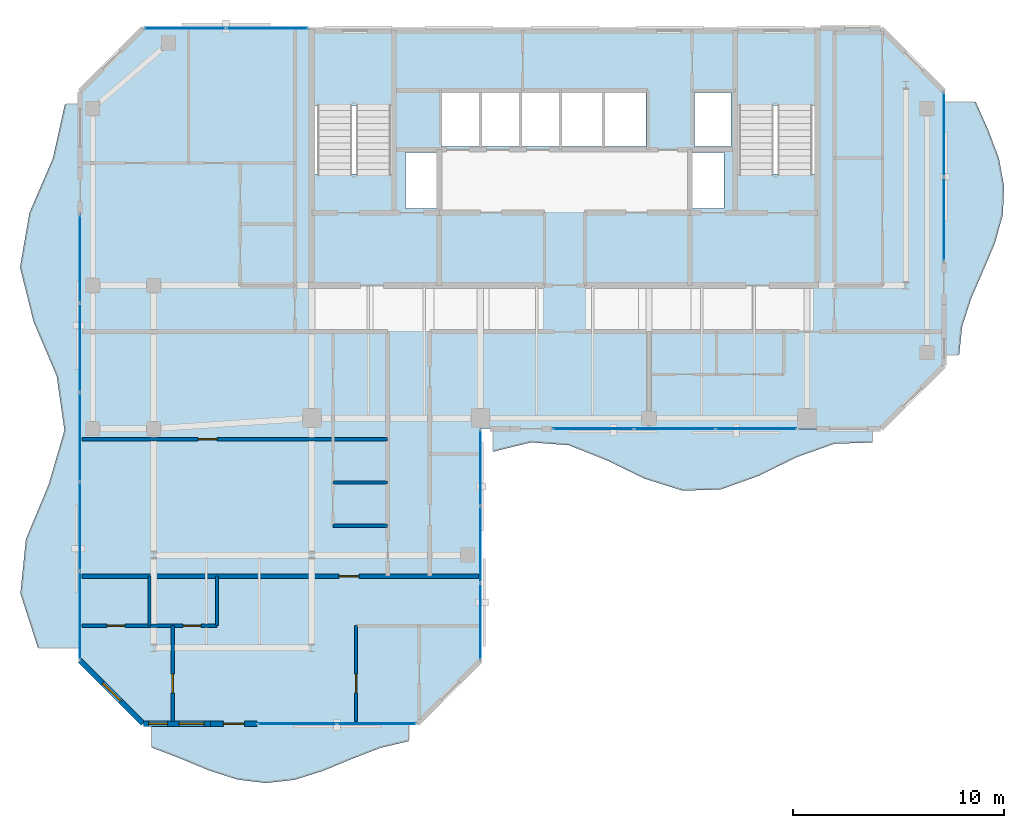
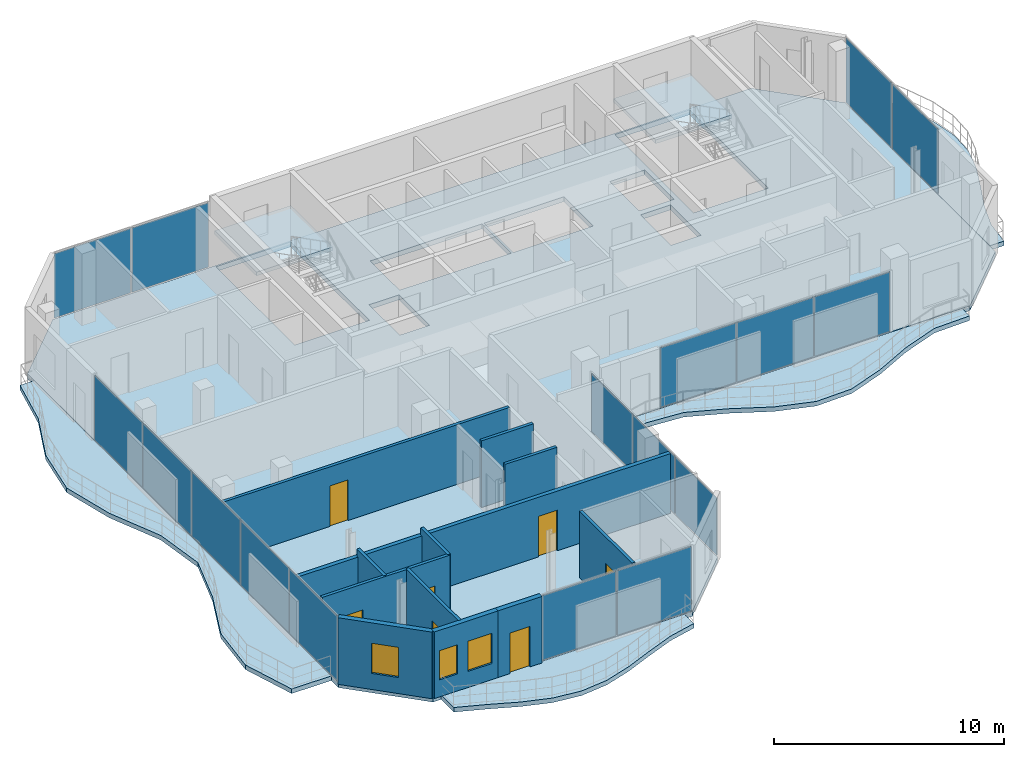
# One storey, part 17 of 22: 17 plates, 12 walls, 7 doors, 7 slabs, 3 windows, 10 openings, 8 elements without a shape of their own.
"""IFC4 building model written with IfcOpenShell, lengths in metres."""

from ifc_helpers import new_model, si_unit, direction, frame, frame_2d, origin, origin_2d, place, context, subcontext, project, spatial, polyline, rectangle, outline, extrude, material, layer, layer_set, type_object, element, fill, aggregate, save


model = new_model("IFC4")

# Units and contexts
model_context = context("Model", 3, precision=1e-05, world=origin(), true_north=direction((0.0, 1.0)))
body_context = subcontext(model_context, "Body", "Model", "MODEL_VIEW")
ifc_project = project(units=[si_unit("LENGTHUNIT", "METRE"), si_unit("AREAUNIT", "SQUARE_METRE"), si_unit("VOLUMEUNIT", "CUBIC_METRE"), si_unit("PLANEANGLEUNIT", "RADIAN"), si_unit("MASSUNIT", "GRAM", prefix="KILO")], contexts=[model_context])

# Site, building, storey
site_placement = place(None, origin())
site = spatial("IfcSite", under=ifc_project, at=site_placement, CompositionType="ELEMENT")
building_placement = place(site_placement, origin())
building = spatial("IfcBuilding", under=site, at=building_placement, Name="Catumbela Crestline Tower", CompositionType="ELEMENT")
storey_placement = place(building_placement, frame((0.0, 0.0, 260.2)))
storey = spatial("IfcBuildingStorey", under=building, at=storey_placement, Name="L67", CompositionType="ELEMENT", Elevation=260.2)

# Curtain wall, plates
ifc_material_1 = material(Name="Aluminium alloy AW-6060-T66", Category="aluminium")
ifc_layer_1 = layer(ifc_material_1, 0.18, Name="Aluminium alloy AW-6060-T66")
ifc_layer_set_1 = layer_set([ifc_layer_1], Name="Aluminium alloy AW-6060-T66")
curtain_wall_type = type_object("IfcCurtainWallType", Name="CWU-Z4", PredefinedType="USERDEFINED", material=ifc_layer_set_1)
curtain_wall_1_placement = place(storey_placement, origin())
curtain_wall_1 = element("IfcCurtainWall", 1, at=curtain_wall_1_placement, inside=storey, type_object=curtain_wall_type, Name="L67 Unitised Curtain Wall CW-L67-E0S2", ObjectType="UNITISED", PredefinedType="USERDEFINED")
ifc_material_2 = material(Name="Low-E laminated solar-control double glazing", Category="glass")
ifc_layer_2 = layer(ifc_material_2, 0.036, Name="Low-E laminated solar-control double glazing")
ifc_layer_set_2 = layer_set([ifc_layer_2], Name="Low-E laminated solar-control double glazing")
plate_type = type_object("IfcPlateType", Name="PNL-GLZ-Z4", PredefinedType="CURTAIN_PANEL", material=ifc_layer_set_2)
plate_1_placement = place(storey_placement, frame((15.3162, 10.0, 0.06), z_axis=(0.0, 0.0, 1.0), x_axis=(1.0, 0.0, 0.0)))
plate_1 = element("IfcPlate", 2, at=plate_1_placement, type_object=plate_type, Name="CWU-Z4 panel 1.1", PredefinedType="CURTAIN_PANEL", context=body_context, shape_type="SweptSolid", body=[
    extrude(rectangle(XDim=3.7025, YDim=0.034, at=origin_2d()), origin(), (0.0, 0.0, 1.0), 3.41),
])
plate_2_placement = place(storey_placement, frame((19.0837, 10.0, 0.06), z_axis=(0.0, 0.0, 1.0), x_axis=(1.0, 0.0, 0.0)))
plate_2 = element("IfcPlate", 3, at=plate_2_placement, type_object=plate_type, Name="CWU-Z4 panel 2.1", PredefinedType="CURTAIN_PANEL", context=body_context, shape_type="SweptSolid", body=[
    extrude(rectangle(XDim=3.7025, YDim=0.034, at=origin_2d()), origin(), (0.0, 0.0, 1.0), 3.41),
])
aggregate(curtain_wall_1, [plate_1, plate_2])

curtain_wall_2_placement = place(storey_placement, origin())
curtain_wall_2 = element("IfcCurtainWall", 4, at=curtain_wall_2_placement, inside=storey, type_object=curtain_wall_type, Name="L67 Unitised Curtain Wall CW-L67-E2S1", ObjectType="UNITISED", PredefinedType="USERDEFINED")
plate_3_placement = place(storey_placement, frame((24.0, 14.8496, 0.06), z_axis=(0.0, 0.0, 1.0), x_axis=(0.0, 1.0, 0.0)))
plate_3 = element("IfcPlate", 5, at=plate_3_placement, type_object=plate_type, Name="CWU-Z4 panel 1.1", PredefinedType="CURTAIN_PANEL", context=body_context, shape_type="SweptSolid", body=[
    extrude(rectangle(XDim=3.5692, YDim=0.034, at=origin_2d()), origin(), (0.0, 0.0, 1.0), 3.04),
])
plate_4_placement = place(storey_placement, frame((24.0, 18.5, 0.06), z_axis=(0.0, 0.0, 1.0), x_axis=(0.0, 1.0, 0.0)))
plate_4 = element("IfcPlate", 6, at=plate_4_placement, type_object=plate_type, Name="CWU-Z4 panel 2.1", PredefinedType="CURTAIN_PANEL", context=body_context, shape_type="SweptSolid", body=[
    extrude(rectangle(XDim=3.6017, YDim=0.034, at=origin_2d()), origin(), (0.0, 0.0, 1.0), 3.04),
])
plate_5_placement = place(storey_placement, frame((24.0, 22.1504, 0.06), z_axis=(0.0, 0.0, 1.0), x_axis=(0.0, 1.0, 0.0)))
plate_5 = element("IfcPlate", 7, at=plate_5_placement, type_object=plate_type, Name="CWU-Z4 panel 3.1", PredefinedType="CURTAIN_PANEL", context=body_context, shape_type="SweptSolid", body=[
    extrude(rectangle(XDim=3.5692, YDim=0.034, at=origin_2d()), origin(), (0.0, 0.0, 1.0), 3.04),
])
aggregate(curtain_wall_2, [plate_3, plate_4, plate_5])

curtain_wall_3_placement = place(storey_placement, origin())
curtain_wall_3 = element("IfcCurtainWall", 8, at=curtain_wall_3_placement, inside=storey, type_object=curtain_wall_type, Name="L67 Unitised Curtain Wall CW-L67-E3S2", ObjectType="UNITISED", PredefinedType="USERDEFINED")
plate_6_placement = place(storey_placement, frame((29.3579, 24.0, 0.06), z_axis=(0.0, 0.0, 1.0), x_axis=(1.0, 0.0, 0.0)))
plate_6 = element("IfcPlate", 9, at=plate_6_placement, type_object=plate_type, Name="CWU-Z4 panel 1.1", PredefinedType="CURTAIN_PANEL", context=body_context, shape_type="SweptSolid", body=[
    extrude(rectangle(XDim=3.7858, YDim=0.034, at=origin_2d()), origin(), (0.0, 0.0, 1.0), 3.15),
])
plate_7_placement = place(storey_placement, frame((33.225, 24.0, 0.06), z_axis=(0.0, 0.0, 1.0), x_axis=(1.0, 0.0, 0.0)))
plate_7 = element("IfcPlate", 10, at=plate_7_placement, type_object=plate_type, Name="CWU-Z4 panel 2.1", PredefinedType="CURTAIN_PANEL", context=body_context, shape_type="SweptSolid", body=[
    extrude(rectangle(XDim=3.8183, YDim=0.034, at=origin_2d()), origin(), (0.0, 0.0, 1.0), 3.15),
])
plate_8_placement = place(storey_placement, frame((37.0921, 24.0, 0.06), z_axis=(0.0, 0.0, 1.0), x_axis=(1.0, 0.0, 0.0)))
plate_8 = element("IfcPlate", 11, at=plate_8_placement, type_object=plate_type, Name="CWU-Z4 panel 3.1", PredefinedType="CURTAIN_PANEL", context=body_context, shape_type="SweptSolid", body=[
    extrude(rectangle(XDim=3.7858, YDim=0.034, at=origin_2d()), origin(), (0.0, 0.0, 1.0), 3.15),
])
aggregate(curtain_wall_3, [plate_6, plate_7, plate_8])

curtain_wall_4_placement = place(storey_placement, origin())
curtain_wall_4 = element("IfcCurtainWall", 12, at=curtain_wall_4_placement, inside=storey, type_object=curtain_wall_type, Name="L67 Unitised Curtain Wall CW-L67-E5S2", ObjectType="UNITISED", PredefinedType="USERDEFINED")
plate_9_placement = place(storey_placement, frame((46.0, 33.9412, 0.06), z_axis=(0.0, 0.0, 1.0), x_axis=(0.0, 1.0, 0.0)))
plate_9 = element("IfcPlate", 13, at=plate_9_placement, type_object=plate_type, Name="CWU-Z4 panel 1.1", PredefinedType="CURTAIN_PANEL", context=body_context, shape_type="SweptSolid", body=[
    extrude(rectangle(XDim=3.9525, YDim=0.034, at=origin_2d()), origin(), (0.0, 0.0, 1.0), 3.41),
])
plate_10_placement = place(storey_placement, frame((46.0, 37.9588, 0.06), z_axis=(0.0, 0.0, 1.0), x_axis=(0.0, 1.0, 0.0)))
plate_10 = element("IfcPlate", 14, at=plate_10_placement, type_object=plate_type, Name="CWU-Z4 panel 2.1", PredefinedType="CURTAIN_PANEL", context=body_context, shape_type="SweptSolid", body=[
    extrude(rectangle(XDim=3.9525, YDim=0.034, at=origin_2d()), origin(), (0.0, 0.0, 1.0), 3.41),
])
aggregate(curtain_wall_4, [plate_9, plate_10])

curtain_wall_5_placement = place(storey_placement, origin())
curtain_wall_5 = element("IfcCurtainWall", 15, at=curtain_wall_5_placement, inside=storey, type_object=curtain_wall_type, Name="L67 Unitised Curtain Wall CW-L67-E7S2", ObjectType="UNITISED", PredefinedType="USERDEFINED")
plate_11_placement = place(storey_placement, frame((13.8788, 43.0, 0.06), z_axis=(0.0, 0.0, 1.0), x_axis=(-1.0, 0.0, 0.0)))
plate_11 = element("IfcPlate", 16, at=plate_11_placement, type_object=plate_type, Name="CWU-Z4 panel 1.1", PredefinedType="CURTAIN_PANEL", context=body_context, shape_type="SweptSolid", body=[
    extrude(rectangle(XDim=3.8325, YDim=0.034, at=origin_2d()), origin(), (0.0, 0.0, 1.0), 3.41),
])
plate_12_placement = place(storey_placement, frame((9.9812, 43.0, 0.06), z_axis=(0.0, 0.0, 1.0), x_axis=(-1.0, 0.0, 0.0)))
plate_12 = element("IfcPlate", 17, at=plate_12_placement, type_object=plate_type, Name="CWU-Z4 panel 2.1", PredefinedType="CURTAIN_PANEL", context=body_context, shape_type="SweptSolid", body=[
    extrude(rectangle(XDim=3.8325, YDim=0.034, at=origin_2d()), origin(), (0.0, 0.0, 1.0), 3.41),
])
aggregate(curtain_wall_5, [plate_11, plate_12])

curtain_wall_6_placement = place(storey_placement, origin())
curtain_wall_6 = element("IfcCurtainWall", 18, at=curtain_wall_6_placement, inside=storey, type_object=curtain_wall_type, Name="L67 Unitised Curtain Wall CW-L67-E9S2", ObjectType="UNITISED", PredefinedType="USERDEFINED")
plate_13_placement = place(storey_placement, frame((5.0, 32.0638, 0.06), z_axis=(0.0, 0.0, 1.0), x_axis=(0.0, -1.0, 0.0)))
plate_13 = element("IfcPlate", 19, at=plate_13_placement, type_object=plate_type, Name="CWU-Z4 panel 1.1", PredefinedType="CURTAIN_PANEL", context=body_context, shape_type="SweptSolid", body=[
    extrude(rectangle(XDim=4.1425, YDim=0.034, at=origin_2d()), origin(), (0.0, 0.0, 1.0), 3.41),
])
plate_14_placement = place(storey_placement, frame((5.0, 27.84, 0.06), z_axis=(0.0, 0.0, 1.0), x_axis=(0.0, -1.0, 0.0)))
plate_14 = element("IfcPlate", 20, at=plate_14_placement, type_object=plate_type, Name="CWU-Z4 panel 2.1", PredefinedType="CURTAIN_PANEL", context=body_context, shape_type="SweptSolid", body=[
    extrude(rectangle(XDim=4.175, YDim=0.034, at=origin_2d()), origin(), (0.0, 0.0, 1.0), 3.41),
])
plate_15_placement = place(storey_placement, frame((5.0, 23.6, 0.06), z_axis=(0.0, 0.0, 1.0), x_axis=(0.0, -1.0, 0.0)))
plate_15 = element("IfcPlate", 21, at=plate_15_placement, type_object=plate_type, Name="CWU-Z4 panel 3.1", PredefinedType="CURTAIN_PANEL", context=body_context, shape_type="SweptSolid", body=[
    extrude(rectangle(XDim=4.175, YDim=0.034, at=origin_2d()), origin(), (0.0, 0.0, 1.0), 3.41),
])
plate_16_placement = place(storey_placement, frame((5.0, 19.36, 0.06), z_axis=(0.0, 0.0, 1.0), x_axis=(0.0, -1.0, 0.0)))
plate_16 = element("IfcPlate", 22, at=plate_16_placement, type_object=plate_type, Name="CWU-Z4 panel 4.1", PredefinedType="CURTAIN_PANEL", context=body_context, shape_type="SweptSolid", body=[
    extrude(rectangle(XDim=4.175, YDim=0.034, at=origin_2d()), origin(), (0.0, 0.0, 1.0), 3.41),
])
plate_17_placement = place(storey_placement, frame((5.0, 15.1362, 0.06), z_axis=(0.0, 0.0, 1.0), x_axis=(0.0, -1.0, 0.0)))
plate_17 = element("IfcPlate", 23, at=plate_17_placement, type_object=plate_type, Name="CWU-Z4 panel 5.1", PredefinedType="CURTAIN_PANEL", context=body_context, shape_type="SweptSolid", body=[
    extrude(rectangle(XDim=4.1425, YDim=0.034, at=origin_2d()), origin(), (0.0, 0.0, 1.0), 3.41),
])
aggregate(curtain_wall_6, [plate_13, plate_14, plate_15, plate_16, plate_17])

# Stair, slab
ifc_material_3 = material(Name="Concrete C45/55", Category="concrete")
stair_type = type_object("IfcStairType", Name="ST-DLG", PredefinedType="HALF_TURN_STAIR", material=ifc_material_3)
stair_1_placement = place(storey_placement, origin())
stair_1 = element("IfcStair", 24, at=stair_1_placement, inside=storey, type_object=stair_type, Name="L67 West Core Pressurised Exit Stair ST-01", PredefinedType="HALF_TURN_STAIR")
ifc_layer_3 = layer(ifc_material_3, 0.2, Name="Concrete C45/55")
ifc_layer_set_3 = layer_set([ifc_layer_3], Name="Concrete C45/55")
slab_type_1 = type_object("IfcSlabType", Name="SL-LND", PredefinedType="LANDING", material=ifc_layer_set_3)
slab_1_placement = place(storey_placement, frame((0.0, 0.0, 1.7)))
slab_1 = element("IfcSlab", 25, at=slab_1_placement, type_object=slab_type_1, Name="ST-01 landing 1", PredefinedType="LANDING", context=body_context, shape_type="SweptSolid", body=[
    extrude(outline(polyline([(19.91, 39.33), (19.91, 42.96), (16.09, 42.96), (16.09, 39.33), (19.91, 39.33)])), origin(), (0.0, 0.0, 1.0), 0.2),
])
aggregate(stair_1, [slab_1])

stair_2_placement = place(storey_placement, origin())
stair_2 = element("IfcStair", 26, at=stair_2_placement, inside=storey, type_object=stair_type, Name="L67 East Core Pressurised Exit Stair ST-02", PredefinedType="HALF_TURN_STAIR")
slab_2_placement = place(storey_placement, frame((0.0, 0.0, 1.7)))
slab_2 = element("IfcSlab", 27, at=slab_2_placement, type_object=slab_type_1, Name="ST-02 landing 1", PredefinedType="LANDING", context=body_context, shape_type="SweptSolid", body=[
    extrude(outline(polyline([(39.91, 39.33), (39.91, 42.96), (36.09, 42.96), (36.09, 39.33), (39.91, 39.33)])), origin(), (0.0, 0.0, 1.0), 0.2),
])
aggregate(stair_2, [slab_2])

# Slabs
ifc_layer_4 = layer(ifc_material_3, 0.26, Name="Concrete C45/55")
ifc_layer_set_4 = layer_set([ifc_layer_4], Name="Concrete C45/55")
slab_type_2 = type_object("IfcSlabType", Name="SL-260", PredefinedType="FLOOR", material=ifc_layer_set_4)
slab_3_placement = place(storey_placement, frame((0.0, 0.0, -0.26)))
element("IfcSlab", 28, at=slab_3_placement, inside=storey, type_object=slab_type_2, Name="L67 Structural Floor Slab", PredefinedType="FLOOR", context=body_context, shape_type="SweptSolid", body=[
    extrude(outline(polyline([(8.0, 10.0), (21.0, 10.0), (24.0, 13.0), (24.0, 24.0), (43.0, 24.0), (46.0, 27.0), (46.0, 40.0), (43.0, 43.0), (8.0, 43.0), (5.0, 40.0), (5.0, 13.0), (8.0, 10.0)]), holes=[polyline([(16.13, 36.08), (19.87, 36.08), (19.87, 42.92), (16.13, 42.92), (16.13, 36.08)]), polyline([(36.13, 36.08), (39.87, 36.08), (39.87, 42.92), (36.13, 42.92), (36.13, 36.08)]), polyline([(22.15, 37.4), (27.75, 37.4), (27.75, 39.95), (22.15, 39.95), (22.15, 37.4)]), polyline([(27.85, 37.4), (31.85, 37.4), (31.85, 39.95), (27.85, 39.95), (27.85, 37.4)]), polyline([(20.45, 34.45), (21.95, 34.45), (21.95, 37.1), (20.45, 37.1), (20.45, 34.45)]), polyline([(34.05, 34.45), (35.55, 34.45), (35.55, 37.1), (34.05, 37.1), (34.05, 34.45)]), polyline([(34.15, 37.4), (35.9, 37.4), (35.9, 39.95), (34.15, 39.95), (34.15, 37.4)])]), origin(), (0.0, 0.0, 1.0), 0.26),
])
ifc_layer_5 = layer(ifc_material_3, 0.24, Name="Concrete C45/55")
ifc_layer_set_5 = layer_set([ifc_layer_5], Name="Concrete C45/55")
slab_type_3 = type_object("IfcSlabType", Name="SB-240W", PredefinedType="USERDEFINED", material=ifc_layer_set_5)
slab_4_placement = place(storey_placement, frame((0.0, 0.0, -0.24)))
element("IfcSlab", 29, at=slab_4_placement, inside=storey, type_object=slab_type_3, Name="L67 Cantilevered Wave Balcony Slab SPINE-S", ObjectType="BALCONY", PredefinedType="USERDEFINED", context=body_context, shape_type="SweptSolid", body=[
    extrude(outline(polyline([(24.6, 22.9053), (26.4, 23.35), (28.2, 23.2132), (30.0, 22.4984), (31.8, 21.6219), (33.6, 21.0587), (35.4, 21.1142), (37.2, 21.7583), (39.0, 22.6417), (40.8, 23.2858), (42.6, 23.3413), (42.6, 23.99), (24.6, 23.99), (24.6, 22.9053)])), origin(), (0.0, 0.0, 1.0), 0.24),
])
slab_5_placement = place(storey_placement, frame((0.0, 0.0, -0.24)))
element("IfcSlab", 30, at=slab_5_placement, inside=storey, type_object=slab_type_3, Name="L67 Cantilevered Wave Balcony Slab SPINE-E", ObjectType="BALCONY", PredefinedType="USERDEFINED", context=body_context, shape_type="SweptSolid", body=[
    extrude(outline(polyline([(46.01, 27.5), (46.721, 27.5), (46.8606, 28.8333), (47.2858, 30.1667), (47.8672, 31.5), (48.4282, 32.8333), (48.7983, 34.1667), (48.85, 35.5), (48.608, 36.8333), (48.1055, 38.1667), (47.5102, 39.5), (46.01, 39.5), (46.01, 27.5)])), origin(), (0.0, 0.0, 1.0), 0.24),
])
slab_6_placement = place(storey_placement, frame((0.0, 0.0, -0.24)))
element("IfcSlab", 31, at=slab_6_placement, inside=storey, type_object=slab_type_3, Name="L67 Cantilevered Wave Balcony Slab WING-S", ObjectType="BALCONY", PredefinedType="USERDEFINED", context=body_context, shape_type="SweptSolid", body=[
    extrude(outline(polyline([(8.4, 8.8674), (9.7556, 8.3478), (11.1111, 7.7819), (12.4667, 7.3472), (13.8222, 7.1801), (15.1778, 7.3331), (16.5333, 7.7582), (17.8889, 8.3219), (19.2444, 8.8474), (20.6, 9.1697), (20.6, 9.99), (8.4, 9.99), (8.4, 8.8674)])), origin(), (0.0, 0.0, 1.0), 0.24),
])
slab_7_placement = place(storey_placement, frame((0.0, 0.0, -0.24)))
element("IfcSlab", 32, at=slab_7_placement, inside=storey, type_object=slab_type_3, Name="L67 Cantilevered Wave Balcony Slab WEST", ObjectType="BALCONY", PredefinedType="USERDEFINED", context=body_context, shape_type="SweptSolid", body=[
    extrude(outline(polyline([(4.99, 39.4), (4.28, 39.4), (3.7067, 36.82), (2.597, 34.24), (2.15, 31.66), (2.7916, 29.08), (3.8899, 26.5), (4.2579, 23.92), (3.506, 21.34), (2.4302, 18.76), (2.1693, 16.18), (2.9995, 13.6), (4.99, 13.6), (4.99, 39.4)])), origin(), (0.0, 0.0, 1.0), 0.24),
])

# Wall, opening, door
ifc_material_4 = material(Name="Angolan grey-ochre granite", Category="masonry")
ifc_layer_6 = layer(ifc_material_4, 0.25, Name="Angolan grey-ochre granite")
ifc_layer_set_6 = layer_set([ifc_layer_6], Name="Angolan grey-ochre granite")
wall_type_1 = type_object("IfcWallType", Name="WE-250", PredefinedType="STANDARD", material=ifc_layer_set_6)
wall_1_placement = place(storey_placement, frame((11.2, 10.0, 0.0), z_axis=(0.0, 0.0, 1.0), x_axis=(1.0, 0.0, 0.0)))
wall_1 = element("IfcWall", 33, at=wall_1_placement, inside=storey, type_object=wall_type_1, Name="L67 Exterior Threshold Portal Wall DR-L67-WBAL-3", PredefinedType="STANDARD", context=body_context, shape_type="SweptSolid", body=[
    extrude(rectangle(XDim=2.2, YDim=0.25, at=frame_2d((1.1, 0.0))), origin(), (0.0, 0.0, 1.0), 3.53),
])
opening_1_placement = place(wall_1_placement, frame((0.6, 0.0, 0.0)))
opening_1 = element("IfcOpeningElement", 34, at=opening_1_placement, cuts=wall_1, Name="Opening DB-L67-3", PredefinedType="OPENING", context=body_context, shape_type="SweptSolid", body=[
    extrude(rectangle(XDim=1.0, YDim=2.15, at=frame_2d((0.5, 1.075))), frame((0.0, 0.135, 0.0), z_axis=(0.0, -1.0, 0.0), x_axis=(1.0, 0.0, 0.0)), (0.0, 0.0, 1.0), 0.27),
])
door_type_1 = type_object("IfcDoorType", Name="DB-1000", OperationType="NOTDEFINED", PredefinedType="DOOR", material=ifc_material_1)
door_1_placement = place(opening_1_placement, origin())
door_1 = element("IfcDoor", 35, at=door_1_placement, inside=storey, type_object=door_type_1, Name="L67 Wave Balcony Terrace Door 3", OperationType="SINGLE_SWING_LEFT", OverallHeight=2.15, OverallWidth=1.0, PredefinedType="DOOR", context=body_context, shape_type="SweptSolid", body=[
    extrude(rectangle(XDim=1.0, YDim=2.15, at=frame_2d((0.5, 1.075))), frame((0.0, 0.025, 0.0), z_axis=(0.0, -1.0, 0.0), x_axis=(1.0, 0.0, 0.0)), (0.0, 0.0, 1.0), 0.05),
])
fill(opening_1, door_1)

# Wall, openings, windows
wall_2_placement = place(storey_placement, frame((8.0, 10.0, 0.0), z_axis=(0.0, 0.0, 1.0), x_axis=(1.0, 0.0, 0.0)))
wall_2 = element("IfcWall", 36, at=wall_2_placement, inside=storey, type_object=wall_type_1, Name="L67 Granite Punched Window Wall 0-1", PredefinedType="STANDARD", context=body_context, shape_type="SweptSolid", body=[
    extrude(rectangle(XDim=3.2, YDim=0.25, at=frame_2d((1.6, 0.0))), origin(), (0.0, 0.0, 1.0), 3.53),
])
opening_2_placement = place(wall_2_placement, frame((0.26, 0.0, 0.9)))
opening_2 = element("IfcOpeningElement", 37, at=opening_2_placement, cuts=wall_2, Name="Opening WN-03", PredefinedType="OPENING", context=body_context, shape_type="SweptSolid", body=[
    extrude(rectangle(XDim=0.9, YDim=1.55, at=frame_2d((0.45, 0.775))), frame((0.0, 0.135, 0.0), z_axis=(0.0, -1.0, 0.0), x_axis=(1.0, 0.0, 0.0)), (0.0, 0.0, 1.0), 0.27),
])
opening_3_placement = place(wall_2_placement, frame((1.69, 0.0, 0.85)))
opening_3 = element("IfcOpeningElement", 38, at=opening_3_placement, cuts=wall_2, Name="Opening WN-02", PredefinedType="OPENING", context=body_context, shape_type="SweptSolid", body=[
    extrude(rectangle(XDim=1.2, YDim=1.6, at=frame_2d((0.6, 0.8))), frame((0.0, 0.135, 0.0), z_axis=(0.0, -1.0, 0.0), x_axis=(1.0, 0.0, 0.0)), (0.0, 0.0, 1.0), 0.27),
])
window_type_1 = type_object("IfcWindowType", Name="WO-0900", PartitioningType="SINGLE_PANEL", PredefinedType="WINDOW", material=ifc_material_2)
window_1_placement = place(opening_2_placement, origin())
window_1 = element("IfcWindow", 39, at=window_1_placement, inside=storey, type_object=window_type_1, Name="L67 Facade Vision Window 518", OverallHeight=1.55, OverallWidth=0.9, PartitioningType="SINGLE_PANEL", PredefinedType="WINDOW", context=body_context, shape_type="SweptSolid", body=[
    extrude(rectangle(XDim=0.9, YDim=1.55, at=frame_2d((0.45, 0.775))), frame((0.0, 0.03, 0.0), z_axis=(0.0, -1.0, 0.0), x_axis=(1.0, 0.0, 0.0)), (0.0, 0.0, 1.0), 0.06),
])
fill(opening_2, window_1)
window_type_2 = type_object("IfcWindowType", Name="WO-1200", PartitioningType="SINGLE_PANEL", PredefinedType="WINDOW", material=ifc_material_2)
window_2_placement = place(opening_3_placement, origin())
window_2 = element("IfcWindow", 40, at=window_2_placement, inside=storey, type_object=window_type_2, Name="L67 Facade Vision Window 519", OverallHeight=1.6, OverallWidth=1.2, PartitioningType="SINGLE_PANEL", PredefinedType="WINDOW", context=body_context, shape_type="SweptSolid", body=[
    extrude(rectangle(XDim=1.2, YDim=1.6, at=frame_2d((0.6, 0.8))), frame((0.0, 0.03, 0.0), z_axis=(0.0, -1.0, 0.0), x_axis=(1.0, 0.0, 0.0)), (0.0, 0.0, 1.0), 0.06),
])
fill(opening_3, window_2)

# Wall, opening, window
wall_3_placement = place(storey_placement, frame((5.0, 13.0, 0.0), z_axis=(0.0, 0.0, 1.0), x_axis=(0.707106781187, -0.707106781187, 0.0)))
wall_3 = element("IfcWall", 41, at=wall_3_placement, inside=storey, type_object=wall_type_1, Name="L67 Granite Punched Window Wall 10-1", PredefinedType="STANDARD", context=body_context, shape_type="SweptSolid", body=[
    extrude(rectangle(XDim=4.2426, YDim=0.25, at=frame_2d((2.1213, 0.0))), origin(), (0.0, 0.0, 1.0), 3.53),
])
opening_4_placement = place(wall_3_placement, frame((1.5213, 0.0, 0.85)))
opening_4 = element("IfcOpeningElement", 42, at=opening_4_placement, cuts=wall_3, Name="Opening WN-02", PredefinedType="OPENING", context=body_context, shape_type="SweptSolid", body=[
    extrude(rectangle(XDim=1.2, YDim=1.6, at=frame_2d((0.6, 0.8))), frame((0.0, 0.135, 0.0), z_axis=(0.0, -1.0, 0.0), x_axis=(1.0, 0.0, 0.0)), (0.0, 0.0, 1.0), 0.27),
])
window_3_placement = place(opening_4_placement, origin())
window_3 = element("IfcWindow", 43, at=window_3_placement, inside=storey, type_object=window_type_2, Name="L67 Facade Vision Window 528", OverallHeight=1.6, OverallWidth=1.2, PartitioningType="SINGLE_PANEL", PredefinedType="WINDOW", context=body_context, shape_type="SweptSolid", body=[
    extrude(rectangle(XDim=1.2, YDim=1.6, at=frame_2d((0.6, 0.8))), frame((0.0, 0.03, 0.0), z_axis=(0.0, -1.0, 0.0), x_axis=(1.0, 0.0, 0.0)), (0.0, 0.0, 1.0), 0.06),
])
fill(opening_4, window_3)

# Walls
ifc_material_5 = material(Name="Acoustic gypsum and mineral-wool partition")
ifc_layer_7 = layer(ifc_material_5, 0.15, Name="Acoustic gypsum and mineral-wool partition")
ifc_layer_set_7 = layer_set([ifc_layer_7], Name="Acoustic gypsum and mineral-wool partition")
wall_type_2 = type_object("IfcWallType", Name="WP-150", PredefinedType="PARTITIONING", material=ifc_layer_set_7)
for number, where, z_axis, x_axis, name in (
    (44, (17.0, 19.396, 0.0), (0.0, 0.0, 1.0), (1.0, 0.0, 0.0), "L67 Interior Partition PW-L67-WL1-KBS"),
    (45, (17.0, 21.446, 0.0), (0.0, 0.0, 1.0), (1.0, 0.0, 0.0), "L67 Interior Partition PW-L67-WL1-KBM"),
):
    element("IfcWall", number, at=place(storey_placement, frame(where, z_axis=z_axis, x_axis=x_axis)), inside=storey, type_object=wall_type_2, Name=name, PredefinedType="PARTITIONING", context=body_context, shape_type="SweptSolid", body=[
        extrude(rectangle(XDim=2.6, YDim=0.15, at=frame_2d((1.3, 0.0))), origin(), (0.0, 0.0, 1.0), 3.53),
    ])

# Wall, opening, door
wall_4_placement = place(storey_placement, frame((5.1, 23.496, 0.0), z_axis=(0.0, 0.0, 1.0), x_axis=(1.0, 0.0, 0.0)))
wall_4 = element("IfcWall", 46, at=wall_4_placement, inside=storey, type_object=wall_type_2, Name="L67 Interior Partition PW-L67-WL1-KBN", PredefinedType="PARTITIONING", context=body_context, shape_type="SweptSolid", body=[
    extrude(rectangle(XDim=14.5, YDim=0.15, at=frame_2d((7.25, 0.0))), origin(), (0.0, 0.0, 1.0), 3.16),
])
opening_5_placement = place(wall_4_placement, frame((5.5, 0.0, 0.0)))
opening_5 = element("IfcOpeningElement", 47, at=opening_5_placement, cuts=wall_4, Name="Opening DI-090", PredefinedType="OPENING", context=body_context, shape_type="SweptSolid", body=[
    extrude(rectangle(XDim=0.9, YDim=2.15, at=frame_2d((0.45, 1.075))), frame((0.0, 0.085, 0.0), z_axis=(0.0, -1.0, 0.0), x_axis=(1.0, 0.0, 0.0)), (0.0, 0.0, 1.0), 0.17),
])
door_type_2 = type_object("IfcDoorType", Name="DI-090", OperationType="NOTDEFINED", PredefinedType="DOOR", material=ifc_material_1)
door_2_placement = place(opening_5_placement, origin())
door_2 = element("IfcDoor", 48, at=door_2_placement, inside=storey, type_object=door_type_2, Name="L67 Interior Door DR-L67-WL1-BD1", OperationType="SINGLE_SWING_LEFT", OverallHeight=2.15, OverallWidth=0.9, PredefinedType="DOOR", context=body_context, shape_type="SweptSolid", body=[
    extrude(rectangle(XDim=0.9, YDim=2.15, at=frame_2d((0.45, 1.075))), frame((0.0, 0.025, 0.0), z_axis=(0.0, -1.0, 0.0), x_axis=(1.0, 0.0, 0.0)), (0.0, 0.0, 1.0), 0.05),
])
fill(opening_5, door_2)

# Walls
for number, where, z_axis, x_axis, name in (
    (49, (11.5, 14.65, 0.0), (0.0, 0.0, 1.0), (0.0, 1.0, 0.0), "L67 Interior Partition PW-L67-SH1-KBE"),
    (50, (8.3, 14.65, 0.0), (0.0, 0.0, 1.0), (0.0, 1.0, 0.0), "L67 Interior Partition PW-L67-SH1-KBM"),
):
    element("IfcWall", number, at=place(storey_placement, frame(where, z_axis=z_axis, x_axis=x_axis)), inside=storey, type_object=wall_type_2, Name=name, PredefinedType="PARTITIONING", context=body_context, shape_type="SweptSolid", body=[
        extrude(rectangle(XDim=2.35, YDim=0.15, at=frame_2d((1.175, 0.0))), origin(), (0.0, 0.0, 1.0), 3.53),
    ])

# Wall, openings, doors
wall_5_placement = place(storey_placement, frame((5.1, 14.65, 0.0), z_axis=(0.0, 0.0, 1.0), x_axis=(1.0, 0.0, 0.0)))
wall_5 = element("IfcWall", 51, at=wall_5_placement, inside=storey, type_object=wall_type_2, Name="L67 Interior Partition PW-L67-SH1-KBD1", PredefinedType="PARTITIONING", context=body_context, shape_type="SweptSolid", body=[
    extrude(rectangle(XDim=6.4, YDim=0.15, at=frame_2d((3.2, 0.0))), origin(), (0.0, 0.0, 1.0), 3.53),
])
opening_6_placement = place(wall_5_placement, frame((1.175, 0.0, 0.0)))
opening_6 = element("IfcOpeningElement", 52, at=opening_6_placement, cuts=wall_5, Name="Opening DI-085", PredefinedType="OPENING", context=body_context, shape_type="SweptSolid", body=[
    extrude(rectangle(XDim=0.85, YDim=2.15, at=frame_2d((0.425, 1.075))), frame((0.0, 0.085, 0.0), z_axis=(0.0, -1.0, 0.0), x_axis=(1.0, 0.0, 0.0)), (0.0, 0.0, 1.0), 0.17),
])
opening_7_placement = place(wall_5_placement, frame((4.7968, 0.0, 0.0)))
opening_7 = element("IfcOpeningElement", 53, at=opening_7_placement, cuts=wall_5, Name="Opening DI-085", PredefinedType="OPENING", context=body_context, shape_type="SweptSolid", body=[
    extrude(rectangle(XDim=0.85, YDim=2.15, at=frame_2d((0.425, 1.075))), frame((0.0, 0.085, 0.0), z_axis=(0.0, -1.0, 0.0), x_axis=(1.0, 0.0, 0.0)), (0.0, 0.0, 1.0), 0.17),
])
door_type_3 = type_object("IfcDoorType", Name="DI-085", OperationType="NOTDEFINED", PredefinedType="DOOR", material=ifc_material_1)
door_3_placement = place(opening_6_placement, origin())
door_3 = element("IfcDoor", 54, at=door_3_placement, inside=storey, type_object=door_type_3, Name="L67 Interior Door DR-L67-SH1-KIT", OperationType="SINGLE_SWING_LEFT", OverallHeight=2.15, OverallWidth=0.85, PredefinedType="DOOR", context=body_context, shape_type="SweptSolid", body=[
    extrude(rectangle(XDim=0.85, YDim=2.15, at=frame_2d((0.425, 1.075))), frame((0.0, 0.025, 0.0), z_axis=(0.0, -1.0, 0.0), x_axis=(1.0, 0.0, 0.0)), (0.0, 0.0, 1.0), 0.05),
])
fill(opening_6, door_3)
door_4_placement = place(opening_7_placement, origin())
door_4 = element("IfcDoor", 55, at=door_4_placement, inside=storey, type_object=door_type_3, Name="L67 Interior Door DR-L67-SH1-BTH", OperationType="SINGLE_SWING_RIGHT", OverallHeight=2.15, OverallWidth=0.85, PredefinedType="DOOR", context=body_context, shape_type="SweptSolid", body=[
    extrude(rectangle(XDim=0.85, YDim=2.15, at=frame_2d((0.425, 1.075))), frame((0.0, 0.025, 0.0), z_axis=(0.0, -1.0, 0.0), x_axis=(1.0, 0.0, 0.0)), (0.0, 0.0, 1.0), 0.05),
])
fill(opening_7, door_4)

# Wall, opening, door
wall_6_placement = place(storey_placement, frame((9.4, 10.1, 0.0), z_axis=(0.0, 0.0, 1.0), x_axis=(0.0, 1.0, 0.0)))
wall_6 = element("IfcWall", 56, at=wall_6_placement, inside=storey, type_object=wall_type_2, Name="L67 Interior Partition PW-L67-SH1-BDL", PredefinedType="PARTITIONING", context=body_context, shape_type="SweptSolid", body=[
    extrude(rectangle(XDim=4.55, YDim=0.15, at=frame_2d((2.275, 0.0))), origin(), (0.0, 0.0, 1.0), 3.53),
])
opening_8_placement = place(wall_6_placement, frame((1.3648, 0.0, 0.0)))
opening_8 = element("IfcOpeningElement", 57, at=opening_8_placement, cuts=wall_6, Name="Opening DI-090", PredefinedType="OPENING", context=body_context, shape_type="SweptSolid", body=[
    extrude(rectangle(XDim=0.9, YDim=2.15, at=frame_2d((0.45, 1.075))), frame((0.0, 0.085, 0.0), z_axis=(0.0, -1.0, 0.0), x_axis=(1.0, 0.0, 0.0)), (0.0, 0.0, 1.0), 0.17),
])
door_5_placement = place(opening_8_placement, origin())
door_5 = element("IfcDoor", 58, at=door_5_placement, inside=storey, type_object=door_type_2, Name="L67 Interior Door DR-L67-SH1-BD1", OperationType="SINGLE_SWING_LEFT", OverallHeight=2.15, OverallWidth=0.9, PredefinedType="DOOR", context=body_context, shape_type="SweptSolid", body=[
    extrude(rectangle(XDim=0.9, YDim=2.15, at=frame_2d((0.45, 1.075))), frame((0.0, 0.025, 0.0), z_axis=(0.0, -1.0, 0.0), x_axis=(1.0, 0.0, 0.0)), (0.0, 0.0, 1.0), 0.05),
])
fill(opening_8, door_5)

wall_7_placement = place(storey_placement, frame((18.1, 10.1, 0.0), z_axis=(0.0, 0.0, 1.0), x_axis=(0.0, 1.0, 0.0)))
wall_7 = element("IfcWall", 59, at=wall_7_placement, inside=storey, type_object=wall_type_2, Name="L67 Interior Partition PW-L67-SH1-STW", PredefinedType="PARTITIONING", context=body_context, shape_type="SweptSolid", body=[
    extrude(rectangle(XDim=4.55, YDim=0.15, at=frame_2d((2.275, 0.0))), origin(), (0.0, 0.0, 1.0), 3.53),
])
opening_9_placement = place(wall_7_placement, frame((1.3648, 0.0, 0.0)))
opening_9 = element("IfcOpeningElement", 60, at=opening_9_placement, cuts=wall_7, Name="Opening DI-090", PredefinedType="OPENING", context=body_context, shape_type="SweptSolid", body=[
    extrude(rectangle(XDim=0.9, YDim=2.15, at=frame_2d((0.45, 1.075))), frame((0.0, 0.085, 0.0), z_axis=(0.0, -1.0, 0.0), x_axis=(1.0, 0.0, 0.0)), (0.0, 0.0, 1.0), 0.17),
])
door_6_placement = place(opening_9_placement, origin())
door_6 = element("IfcDoor", 61, at=door_6_placement, inside=storey, type_object=door_type_2, Name="L67 Interior Door DR-L67-SH1-STDY", OperationType="SINGLE_SWING_RIGHT", OverallHeight=2.15, OverallWidth=0.9, PredefinedType="DOOR", context=body_context, shape_type="SweptSolid", body=[
    extrude(rectangle(XDim=0.9, YDim=2.15, at=frame_2d((0.45, 1.075))), frame((0.0, 0.025, 0.0), z_axis=(0.0, -1.0, 0.0), x_axis=(1.0, 0.0, 0.0)), (0.0, 0.0, 1.0), 0.05),
])
fill(opening_9, door_6)

ifc_layer_8 = layer(ifc_material_5, 0.2, Name="Acoustic gypsum and mineral-wool partition")
ifc_layer_set_8 = layer_set([ifc_layer_8], Name="Acoustic gypsum and mineral-wool partition")
wall_type_3 = type_object("IfcWallType", Name="WY-200", PredefinedType="PARTITIONING", material=ifc_layer_set_8)
wall_8_placement = place(storey_placement, frame((5.1, 17.0, 0.0), z_axis=(0.0, 0.0, 1.0), x_axis=(1.0, 0.0, 0.0)))
wall_8 = element("IfcWall", 62, at=wall_8_placement, inside=storey, type_object=wall_type_3, Name="L67 Interior Partition PW-L67-SH-WL", PredefinedType="PARTITIONING", context=body_context, shape_type="SweptSolid", body=[
    extrude(rectangle(XDim=18.8, YDim=0.2, at=frame_2d((9.4, 0.0))), origin(), (0.0, 0.0, 1.0), 3.16),
])
opening_10_placement = place(wall_8_placement, frame((12.1791, 0.0, 0.0)))
opening_10 = element("IfcOpeningElement", 63, at=opening_10_placement, cuts=wall_8, Name="Opening DF6-095", PredefinedType="OPENING", context=body_context, shape_type="SweptSolid", body=[
    extrude(rectangle(XDim=0.95, YDim=2.15, at=frame_2d((0.475, 1.075))), frame((0.0, 0.11, 0.0), z_axis=(0.0, -1.0, 0.0), x_axis=(1.0, 0.0, 0.0)), (0.0, 0.0, 1.0), 0.22),
])
door_type_4 = type_object("IfcDoorType", Name="DF6-095", OperationType="NOTDEFINED", PredefinedType="DOOR", material=ifc_material_1)
door_7_placement = place(opening_10_placement, origin())
door_7 = element("IfcDoor", 64, at=door_7_placement, inside=storey, type_object=door_type_4, Name="L67 Interior Door DR-L67-SH1-ENT", OperationType="SINGLE_SWING_RIGHT", OverallHeight=2.15, OverallWidth=0.95, PredefinedType="DOOR", context=body_context, shape_type="SweptSolid", body=[
    extrude(rectangle(XDim=0.95, YDim=2.15, at=frame_2d((0.475, 1.075))), frame((0.0, 0.025, 0.0), z_axis=(0.0, -1.0, 0.0), x_axis=(1.0, 0.0, 0.0)), (0.0, 0.0, 1.0), 0.05),
])
fill(opening_10, door_7)

save(model, "model.ifc")
